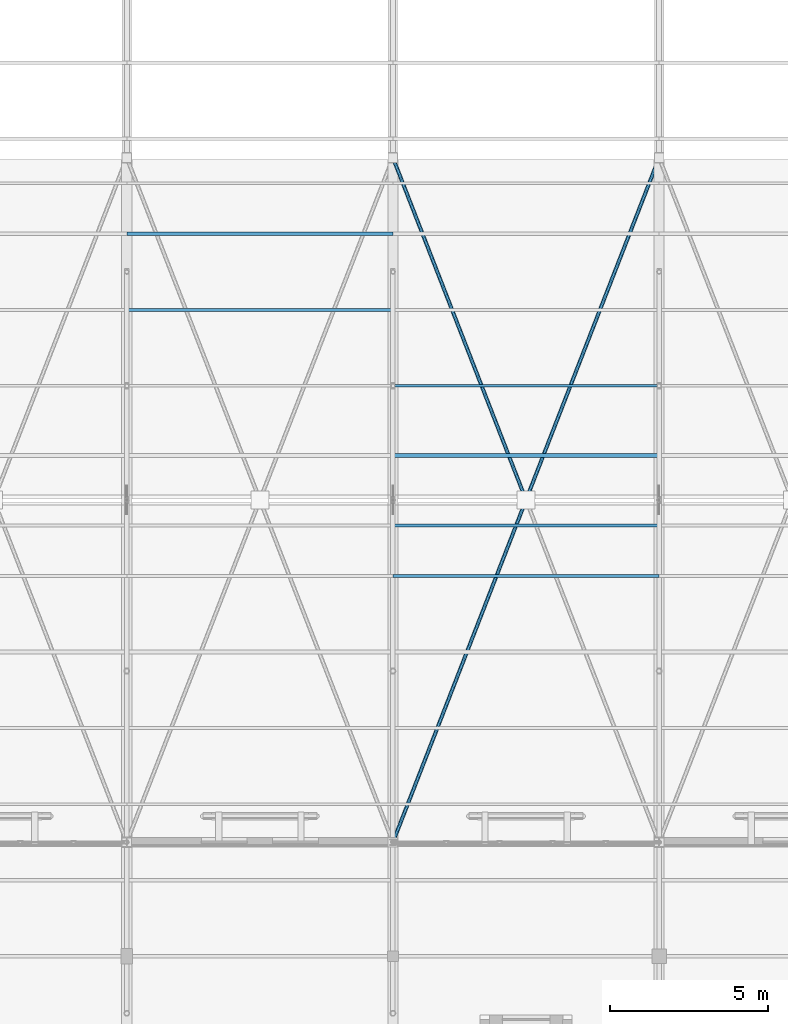
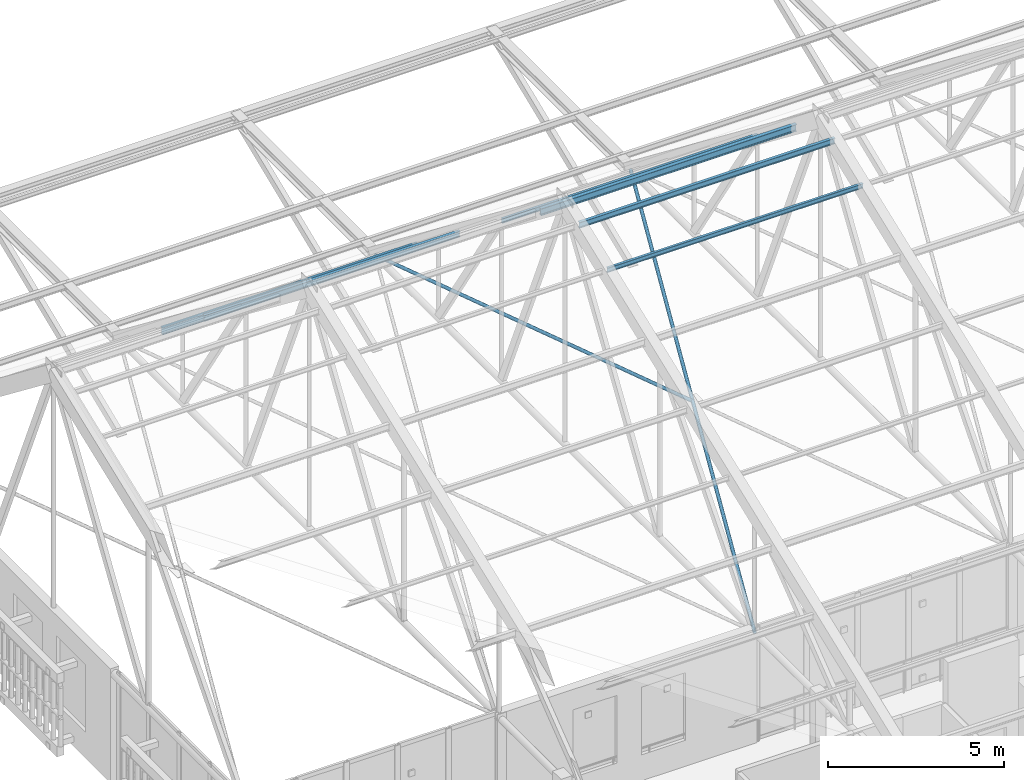
# One storey, part 116 of 217: 8 members.
"""IFC4 building model written with IfcOpenShell, lengths in metres."""

from ifc_helpers import new_model, si_unit, direction, frame, origin, origin_2d, place, context, subcontext, project, spatial, hollow_circle, i_section, extrude, material, material_profile, profile_set, type_object, element, save


model = new_model("IFC4")

# Units and contexts
model_context = context("Model", 3, precision=1e-05, world=origin(), true_north=direction((0.0, 1.0)))
body_context = subcontext(model_context, "Body", "Model", "MODEL_VIEW")
ifc_project = project(units=[si_unit("LENGTHUNIT", "METRE"), si_unit("AREAUNIT", "SQUARE_METRE"), si_unit("VOLUMEUNIT", "CUBIC_METRE"), si_unit("PLANEANGLEUNIT", "RADIAN"), si_unit("MASSUNIT", "GRAM", prefix="KILO")], contexts=[model_context])

# Site, building, storey
site_placement = place(None, origin())
site = spatial("IfcSite", under=ifc_project, at=site_placement, CompositionType="ELEMENT")
building_placement = place(site_placement, origin())
building = spatial("IfcBuilding", under=site, at=building_placement, Name="Mazaris Harbour Polytechnic", CompositionType="ELEMENT")
storey_placement = place(building_placement, frame((0.0, 0.0, 9.60009765625)))
storey = spatial("IfcBuildingStorey", under=building, at=storey_placement, Name="L02", CompositionType="ELEMENT", Elevation=9.60009765625)

# Members
ifc_material_1 = material(Name="Steel S355", Category="steel")
ifc_material_profile_1 = material_profile(ifc_material_1, i_section(OverallWidth=0.08203125, OverallDepth=0.159912109375, WebThickness=0.0048828125, FlangeThickness=0.00732421875, FilletRadius=0.009033203125, at=origin_2d()), Name="IPE 160")
ifc_profile_set_1 = profile_set([ifc_material_profile_1], Name="Steel S355")
member_type_1 = type_object("IfcMemberType", Name="Steel Purlin IPE160", PredefinedType="PURLIN", material=ifc_profile_set_1)
for number, where, z_axis, x_axis, name in (
    (1, (70.800048828125, 94.800048828125, 11.23779296875), (1.0, 0.0, 0.0), (0.0, 1.0, 0.0), "V1 Roof Purlin S-54"),
    (2, (70.800048828125, 100.800048828125, 9.308837890625), (1.0, 0.0, 0.0), (0.0, 1.0, 0.0), "V1 Roof Purlin N-57"),
):
    element("IfcMember", number, at=place(storey_placement, frame(where, z_axis=z_axis, x_axis=x_axis)), inside=storey, type_object=member_type_1, Name=name, PredefinedType="PURLIN", context=body_context, shape_type="SweptSolid", body=[
        extrude(i_section(OverallWidth=0.08203125, OverallDepth=0.159912109375, WebThickness=0.0048828125, FlangeThickness=0.00732421875, FilletRadius=0.009033203125, at=origin_2d()), origin(), (0.0, 0.0, 1.0), 8.39990234375),
    ])
ifc_material_2 = material(Name="Steel S355", Category="steel")
ifc_material_profile_2 = material_profile(ifc_material_2, i_section(OverallWidth=0.10009765625, OverallDepth=0.199951171875, WebThickness=0.005615234375, FlangeThickness=0.008544921875, FilletRadius=0.011962890625, at=origin_2d()), Name="IPE 200")
ifc_profile_set_2 = profile_set([ifc_material_profile_2], Name="Steel S355")
member_type_2 = type_object("IfcMemberType", Name="Steel Purlin IPE200", PredefinedType="PURLIN", material=ifc_profile_set_2)
member_1_placement = place(storey_placement, frame((62.39990234375, 103.199951171875, 7.4130859375), z_axis=(1.0, 0.0, 0.0), x_axis=(0.0, 1.0, 0.0)))
element("IfcMember", 3, at=member_1_placement, inside=storey, type_object=member_type_2, Name="V1 Roof Purlin N-37", PredefinedType="PURLIN", context=body_context, shape_type="SweptSolid", body=[
    extrude(i_section(OverallWidth=0.10009765625, OverallDepth=0.199951171875, WebThickness=0.005615234375, FlangeThickness=0.008544921875, FilletRadius=0.011962890625, at=origin_2d()), origin(), (0.0, 0.0, 1.0), 8.400146484375),
])
member_2_placement = place(storey_placement, frame((70.800048828125, 96.39990234375, 11.833740234375), z_axis=(1.0, 0.0, 0.0), x_axis=(0.0, 1.0, 0.0)))
element("IfcMember", 4, at=member_2_placement, inside=storey, type_object=member_type_2, Name="V1 Roof Purlin S-55", PredefinedType="PURLIN", context=body_context, shape_type="SweptSolid", body=[
    extrude(i_section(OverallWidth=0.10009765625, OverallDepth=0.199951171875, WebThickness=0.005615234375, FlangeThickness=0.008544921875, FilletRadius=0.011962890625, at=origin_2d()), origin(), (0.0, 0.0, 1.0), 8.39990234375),
])
ifc_material_3 = material(Name="Steel S355", Category="steel")
ifc_material_profile_3 = material_profile(ifc_material_3, i_section(OverallWidth=0.1201171875, OverallDepth=0.239990234375, WebThickness=0.006103515625, FlangeThickness=0.009765625, FilletRadius=0.014892578125, at=origin_2d()), Name="IPE 240")
ifc_profile_set_3 = profile_set([ifc_material_profile_3], Name="Steel S355")
member_type_3 = type_object("IfcMemberType", Name="Steel Purlin IPE240", PredefinedType="PURLIN", material=ifc_profile_set_3)
member_3_placement = place(storey_placement, frame((62.39990234375, 105.60009765625, 5.5166015625), z_axis=(1.0, 0.0, 0.0), x_axis=(0.0, 1.0, 0.0)))
element("IfcMember", 5, at=member_3_placement, inside=storey, type_object=member_type_3, Name="V1 Roof Purlin N-38", PredefinedType="PURLIN", context=body_context, shape_type="SweptSolid", body=[
    extrude(i_section(OverallWidth=0.1201171875, OverallDepth=0.239990234375, WebThickness=0.006103515625, FlangeThickness=0.009765625, FilletRadius=0.014892578125, at=origin_2d()), origin(), (0.0, 0.0, 1.0), 8.400146484375),
])
member_4_placement = place(storey_placement, frame((70.800048828125, 98.60009765625, 10.9609375), z_axis=(1.0, 0.0, 0.0), x_axis=(0.0, 1.0, 0.0)))
element("IfcMember", 6, at=member_4_placement, inside=storey, type_object=member_type_3, Name="V1 Roof Purlin N-56", PredefinedType="PURLIN", context=body_context, shape_type="SweptSolid", body=[
    extrude(i_section(OverallWidth=0.1201171875, OverallDepth=0.239990234375, WebThickness=0.006103515625, FlangeThickness=0.009765625, FilletRadius=0.014892578125, at=origin_2d()), origin(), (0.0, 0.0, 1.0), 8.39990234375),
])
ifc_material_4 = material(Name="Steel S355", Category="steel")
ifc_material_profile_4 = material_profile(ifc_material_4, hollow_circle(Radius=0.05712890625, WallThickness=0.00634765625, at=origin_2d()), Name="CHS 114.3x6.3")
ifc_profile_set_4 = profile_set([ifc_material_profile_4], Name="Steel S355")
member_type_4 = type_object("IfcMemberType", Name="Steel Wind Brace CHS114", PredefinedType="BRACE", material=ifc_profile_set_4)
member_5_placement = place(storey_placement, frame((70.800048828125, 86.39990234375, 3.75), z_axis=(0.3624411776, 0.932006648463, 0.0), x_axis=(-0.932006648463, 0.3624411776, 0.0)))
element("IfcMember", 7, at=member_5_placement, inside=storey, type_object=member_type_4, Name="V1 Continuous Roof Wind Brace 3A", PredefinedType="BRACE", context=body_context, shape_type="SweptSolid", body=[
    extrude(hollow_circle(Radius=0.05712890625, WallThickness=0.00634765625, at=origin_2d()), origin(), (0.0, 0.0, 1.0), 23.176025390625),
])
member_6_placement = place(storey_placement, frame((70.800048828125, 108.0, 3.75), z_axis=(0.3624411776, -0.932006648463, 0.0), x_axis=(0.932006648463, 0.3624411776, 0.0)))
element("IfcMember", 8, at=member_6_placement, inside=storey, type_object=member_type_4, Name="V1 Split Roof Wind Brace 3B1", PredefinedType="BRACE", context=body_context, shape_type="SweptSolid", body=[
    extrude(hollow_circle(Radius=0.05712890625, WallThickness=0.00634765625, at=origin_2d()), origin(), (0.0, 0.0, 1.0), 11.587890625),
])

save(model, "model.ifc")
